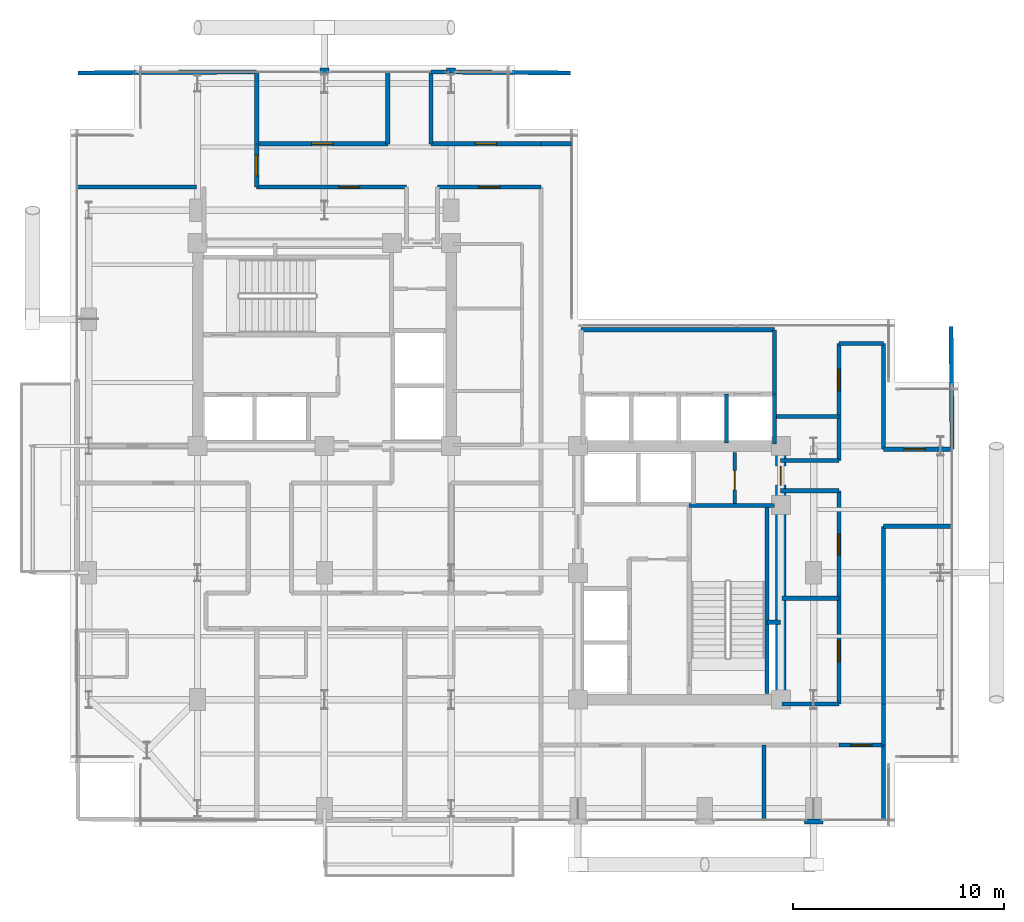
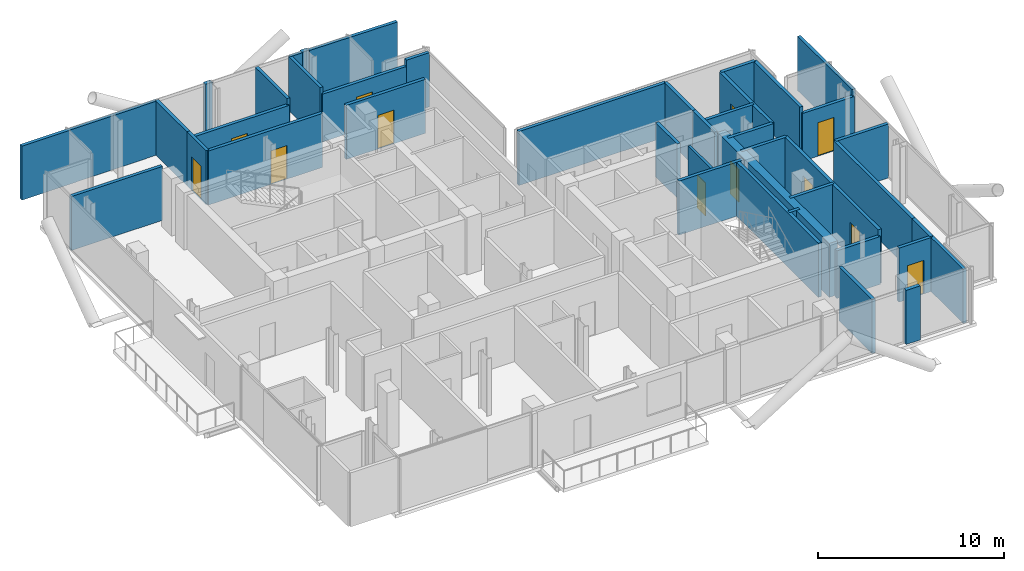
# One storey, part 19 of 22: 42 walls, 12 doors, 12 openings.
"""IFC4 building model written with IfcOpenShell, lengths in metres."""

from ifc_helpers import new_model, si_unit, direction, frame, frame_2d, origin, place, context, subcontext, project, spatial, rectangle, extrude, material, layer, layer_set, type_object, element, fill, save


model = new_model("IFC4")

# Units and contexts
model_context = context("Model", 3, precision=1e-05, world=origin(), true_north=direction((0.0, 1.0)))
body_context = subcontext(model_context, "Body", "Model", "MODEL_VIEW")
ifc_project = project(units=[si_unit("LENGTHUNIT", "METRE"), si_unit("AREAUNIT", "SQUARE_METRE"), si_unit("VOLUMEUNIT", "CUBIC_METRE"), si_unit("PLANEANGLEUNIT", "RADIAN"), si_unit("MASSUNIT", "GRAM", prefix="KILO"), si_unit("THERMODYNAMICTEMPERATUREUNIT", "KELVIN"), si_unit("POWERUNIT", "WATT")], contexts=[model_context])

# Site, building, storey
site_placement = place(None, origin())
site = spatial("IfcSite", under=ifc_project, at=site_placement, CompositionType="ELEMENT")
building_placement = place(site_placement, origin())
building = spatial("IfcBuilding", under=site, at=building_placement, Name="Svarakhadi Broadcast Tower", CompositionType="ELEMENT")
storey_placement = place(building_placement, frame((0.0, 0.0, 176.699951171875)))
storey = spatial("IfcBuildingStorey", under=building, at=storey_placement, Name="L43", CompositionType="ELEMENT", Elevation=176.699951171875)

# Wall, openings, doors
ifc_material_1 = material(Name="Double-Stud Acoustic Studio Partition STC-62", Category="gypsum")
ifc_layer_1 = layer(ifc_material_1, 0.199951171875)
ifc_layer_set_1 = layer_set([ifc_layer_1], Name="Double-Stud Acoustic Studio Partition STC-62")
wall_type_1 = type_object("IfcWallType", Name="Wall_Acoust_200", PredefinedType="PARTITIONING", material=ifc_layer_set_1)
wall_1_placement = place(storey_placement, frame((36.35009765625, 5.800048828125, 0.0), z_axis=(0.0, 0.0, 1.0), x_axis=(0.0, 1.0, 0.0)))
wall_1 = element("IfcWall", 1, at=wall_1_placement, inside=storey, type_object=wall_type_1, Name="L43 Zone 2/3 Corridor Wall", PredefinedType="PARTITIONING", context=body_context, shape_type="SweptSolid", body=[
    extrude(rectangle(XDim=10.079833984375, YDim=0.199951171875, at=frame_2d((5.0400390625, 0.0))), origin(), (0.0, 0.0, 1.0), 3.5400390625),
])
opening_1_placement = place(wall_1_placement, frame((2.0, 0.0, 0.0)))
opening_1 = element("IfcOpeningElement", 2, at=opening_1_placement, cuts=wall_1, Name="Opening D-09", PredefinedType="OPENING", context=body_context, shape_type="SweptSolid", body=[
    extrude(rectangle(XDim=1.0, YDim=2.199951171875, at=frame_2d((0.5, 1.10009765625))), frame((0.0, 0.10986328125, 0.0), z_axis=(0.0, -1.0, 0.0), x_axis=(1.0, 0.0, 0.0)), (0.0, 0.0, 1.0), 0.219970703125),
])
opening_2_placement = place(wall_1_placement, frame((7.0400390625, 0.0, 0.0)))
opening_2 = element("IfcOpeningElement", 3, at=opening_2_placement, cuts=wall_1, Name="Opening D-09", PredefinedType="OPENING", context=body_context, shape_type="SweptSolid", body=[
    extrude(rectangle(XDim=1.0, YDim=2.199951171875, at=frame_2d((0.5, 1.10009765625))), frame((0.0, 0.10986328125, 0.0), z_axis=(0.0, -1.0, 0.0), x_axis=(1.0, 0.0, 0.0)), (0.0, 0.0, 1.0), 0.219970703125),
])
ifc_material_2 = material(Name="Solid-Core Teak Veneer Acoustic Timber Leaf", Category="wood")
door_type_1 = type_object("IfcDoorType", Name="Door_Suite_D09", OperationType="SINGLE_SWING_RIGHT", PredefinedType="DOOR", material=ifc_material_2)
door_1_placement = place(opening_1_placement, origin())
door_1 = element("IfcDoor", 4, at=door_1_placement, inside=storey, type_object=door_type_1, Name="L43 Sommelier Wine Tasting Room Door", OperationType="SINGLE_SWING_RIGHT", OverallHeight=2.199951171875, OverallWidth=1.0, PredefinedType="DOOR", context=body_context, shape_type="SweptSolid", body=[
    extrude(rectangle(XDim=1.0, YDim=2.199951171875, at=frame_2d((0.5, 1.10009765625))), frame((0.0, 0.02490234375, 0.0), z_axis=(0.0, -1.0, 0.0), x_axis=(1.0, 0.0, 0.0)), (0.0, 0.0, 1.0), 0.050048828125),
])
fill(opening_1, door_1)
door_2_placement = place(opening_2_placement, origin())
door_2 = element("IfcDoor", 5, at=door_2_placement, inside=storey, type_object=door_type_1, Name="L43 VIP Cigar Lounge Door", OperationType="SINGLE_SWING_RIGHT", OverallHeight=2.199951171875, OverallWidth=1.0, PredefinedType="DOOR", context=body_context, shape_type="SweptSolid", body=[
    extrude(rectangle(XDim=1.0, YDim=2.199951171875, at=frame_2d((0.5, 1.10009765625))), frame((0.0, 0.02490234375, 0.0), z_axis=(0.0, -1.0, 0.0), x_axis=(1.0, 0.0, 0.0)), (0.0, 0.0, 1.0), 0.050048828125),
])
fill(opening_2, door_2)

# Walls
for number, where, z_axis, x_axis, name in (
    (6, (36.35009765625, 15.8798828125, 0.0), (0.0, 0.0, 1.0), (-1.0, 0.0, 0.0), "L43 Zone 2/3 Corridor Wall"),
    (7, (33.580078125, 17.320068359375, 0.0), (0.0, 0.0, 1.0), (1.0, 0.0, 0.0), "L43 Zone 2/3 Corridor Wall"),
):
    element("IfcWall", number, at=place(storey_placement, frame(where, z_axis=z_axis, x_axis=x_axis)), inside=storey, type_object=wall_type_1, Name=name, PredefinedType="PARTITIONING", context=body_context, shape_type="SweptSolid", body=[
        extrude(rectangle(XDim=2.77001953125, YDim=0.199951171875, at=frame_2d((1.385009765625, 0.0))), origin(), (0.0, 0.0, 1.0), 3.5400390625),
    ])

# Wall, opening, door
wall_2_placement = place(storey_placement, frame((36.35009765625, 17.320068359375, 0.0), z_axis=(0.0, 0.0, 1.0), x_axis=(0.0, 1.0, 0.0)))
wall_2 = element("IfcWall", 8, at=wall_2_placement, inside=storey, type_object=wall_type_1, Name="L43 Zone 2/3 Corridor Wall", PredefinedType="PARTITIONING", context=body_context, shape_type="SweptSolid", body=[
    extrude(rectangle(XDim=5.530029296875, YDim=0.199951171875, at=frame_2d((2.76513671875, 0.0))), origin(), (0.0, 0.0, 1.0), 3.5400390625),
])
opening_3_placement = place(wall_2_placement, frame((3.304931640625, 0.0, 0.0)))
opening_3 = element("IfcOpeningElement", 9, at=opening_3_placement, cuts=wall_2, Name="Opening D-09", PredefinedType="OPENING", context=body_context, shape_type="SweptSolid", body=[
    extrude(rectangle(XDim=1.0, YDim=2.199951171875, at=frame_2d((0.5, 1.10009765625))), frame((0.0, 0.10986328125, 0.0), z_axis=(0.0, -1.0, 0.0), x_axis=(1.0, 0.0, 0.0)), (0.0, 0.0, 1.0), 0.219970703125),
])
door_3_placement = place(opening_3_placement, origin())
door_3 = element("IfcDoor", 10, at=door_3_placement, inside=storey, type_object=door_type_1, Name="L43 Harbour Sunset Reading Lounge Door", OperationType="SINGLE_SWING_RIGHT", OverallHeight=2.199951171875, OverallWidth=1.0, PredefinedType="DOOR", context=body_context, shape_type="SweptSolid", body=[
    extrude(rectangle(XDim=1.0, YDim=2.199951171875, at=frame_2d((0.5, 1.10009765625))), frame((0.0, 0.02490234375, 0.0), z_axis=(0.0, -1.0, 0.0), x_axis=(1.0, 0.0, 0.0)), (0.0, 0.0, 1.0), 0.050048828125),
])
fill(opening_3, door_3)

# Walls
wall_3_placement = place(storey_placement, frame((36.35009765625, 22.85009765625, 0.0), z_axis=(0.0, 0.0, 1.0), x_axis=(1.0, 0.0, 0.0)))
element("IfcWall", 11, at=wall_3_placement, inside=storey, type_object=wall_type_1, Name="L43 Zone 2/3 Corridor Wall", PredefinedType="PARTITIONING", context=body_context, shape_type="SweptSolid", body=[
    extrude(rectangle(XDim=2.099853515625, YDim=0.199951171875, at=frame_2d((1.0498046875, 0.0))), origin(), (0.0, 0.0, 1.0), 3.5400390625),
])
wall_4_placement = place(storey_placement, frame((38.449951171875, 22.85009765625, 0.0), z_axis=(0.0, 0.0, 1.0), x_axis=(0.0, -1.0, 0.0)))
element("IfcWall", 12, at=wall_4_placement, inside=storey, type_object=wall_type_1, Name="L43 Zone 2/3 Corridor Wall", PredefinedType="PARTITIONING", context=body_context, shape_type="SweptSolid", body=[
    extrude(rectangle(XDim=5.0, YDim=0.199951171875, at=frame_2d((2.5, 0.0))), origin(), (0.0, 0.0, 1.0), 3.5400390625),
])

# Wall, opening, door
wall_5_placement = place(storey_placement, frame((38.449951171875, 17.85009765625, 0.0), z_axis=(0.0, 0.0, 1.0), x_axis=(1.0, 0.0, 0.0)))
wall_5 = element("IfcWall", 13, at=wall_5_placement, inside=storey, type_object=wall_type_1, Name="L43 Zone 2/3 Corridor Wall", PredefinedType="PARTITIONING", context=body_context, shape_type="SweptSolid", body=[
    extrude(rectangle(XDim=3.25, YDim=0.199951171875, at=frame_2d((1.625, 0.0))), origin(), (0.0, 0.0, 1.0), 3.132080078125),
])
opening_4_placement = place(wall_5_placement, frame((0.97998046875, 0.0, 0.0)))
opening_4 = element("IfcOpeningElement", 14, at=opening_4_placement, cuts=wall_5, Name="Opening D-08", PredefinedType="OPENING", context=body_context, shape_type="SweptSolid", body=[
    extrude(rectangle(XDim=1.0, YDim=2.199951171875, at=frame_2d((0.5, 1.10009765625))), frame((0.0, 0.10986328125, 0.0), z_axis=(0.0, -1.0, 0.0), x_axis=(1.0, 0.0, 0.0)), (0.0, 0.0, 1.0), 0.219970703125),
])
door_type_2 = type_object("IfcDoorType", Name="Door_Suite_D08", OperationType="SINGLE_SWING_LEFT", PredefinedType="DOOR", material=ifc_material_2)
door_4_placement = place(opening_4_placement, origin())
door_4 = element("IfcDoor", 15, at=door_4_placement, inside=storey, type_object=door_type_2, Name="L43 Hotel Harbour Panorama Suite Door", OperationType="SINGLE_SWING_LEFT", OverallHeight=2.199951171875, OverallWidth=1.0, PredefinedType="DOOR", context=body_context, shape_type="SweptSolid", body=[
    extrude(rectangle(XDim=1.0, YDim=2.199951171875, at=frame_2d((0.5, 1.10009765625))), frame((0.0, 0.02490234375, 0.0), z_axis=(0.0, -1.0, 0.0), x_axis=(1.0, 0.0, 0.0)), (0.0, 0.0, 1.0), 0.050048828125),
])
fill(opening_4, door_4)

# Walls
wall_6_placement = place(storey_placement, frame((41.699951171875, 14.199951171875, 0.0), z_axis=(0.0, 0.0, 1.0), x_axis=(-1.0, 0.0, 0.0)))
element("IfcWall", 16, at=wall_6_placement, inside=storey, type_object=wall_type_1, Name="L43 Zone 2/3 Corridor Wall", PredefinedType="PARTITIONING", context=body_context, shape_type="SweptSolid", body=[
    extrude(rectangle(XDim=3.25, YDim=0.199951171875, at=frame_2d((1.625, 0.0))), origin(), (0.0, 0.0, 1.0), 3.5400390625),
])
wall_7_placement = place(storey_placement, frame((38.449951171875, 14.199951171875, 0.0), z_axis=(0.0, 0.0, 1.0), x_axis=(0.0, -1.0, 0.0)))
element("IfcWall", 17, at=wall_7_placement, inside=storey, type_object=wall_type_1, Name="L43 Zone 2/3 Corridor Wall", PredefinedType="PARTITIONING", context=body_context, shape_type="SweptSolid", body=[
    extrude(rectangle(XDim=8.39990234375, YDim=0.199951171875, at=frame_2d((4.199951171875, 0.0))), origin(), (0.0, 0.0, 1.0), 3.5400390625),
])
wall_8_placement = place(storey_placement, frame((38.449951171875, 5.800048828125, 0.0), z_axis=(0.0, 0.0, 1.0), x_axis=(0.0, -1.0, 0.0)))
element("IfcWall", 18, at=wall_8_placement, inside=storey, type_object=wall_type_1, Name="L43 Zone 2/3 Corridor Wall", PredefinedType="PARTITIONING", context=body_context, shape_type="SweptSolid", body=[
    extrude(rectangle(XDim=1.949951171875, YDim=0.199951171875, at=frame_2d((0.97509765625, 0.0))), origin(), (0.0, 0.0, 1.0), 3.5400390625),
])

# Wall, opening, door
wall_9_placement = place(storey_placement, frame((38.449951171875, 3.85009765625, 0.0), z_axis=(0.0, 0.0, 1.0), x_axis=(-1.0, 0.0, 0.0)))
wall_9 = element("IfcWall", 19, at=wall_9_placement, inside=storey, type_object=wall_type_1, Name="L43 Zone 2/3 Corridor Wall", PredefinedType="PARTITIONING", context=body_context, shape_type="SweptSolid", body=[
    extrude(rectangle(XDim=2.099853515625, YDim=0.199951171875, at=frame_2d((1.0498046875, 0.0))), origin(), (0.0, 0.0, 1.0), 3.5400390625),
])
opening_5_placement = place(wall_9_placement, frame((0.550048828125, 0.0, 0.0)))
opening_5 = element("IfcOpeningElement", 20, at=opening_5_placement, cuts=wall_9, Name="Opening D-09", PredefinedType="OPENING", context=body_context, shape_type="SweptSolid", body=[
    extrude(rectangle(XDim=1.0, YDim=2.199951171875, at=frame_2d((0.5, 1.10009765625))), frame((0.0, 0.10986328125, 0.0), z_axis=(0.0, -1.0, 0.0), x_axis=(1.0, 0.0, 0.0)), (0.0, 0.0, 1.0), 0.219970703125),
])
door_5_placement = place(opening_5_placement, origin())
door_5 = element("IfcDoor", 21, at=door_5_placement, inside=storey, type_object=door_type_1, Name="L43 Artisanal Espresso Bar Door", OperationType="SINGLE_SWING_RIGHT", OverallHeight=2.199951171875, OverallWidth=1.0, PredefinedType="DOOR", context=body_context, shape_type="SweptSolid", body=[
    extrude(rectangle(XDim=1.0, YDim=2.199951171875, at=frame_2d((0.5, 1.10009765625))), frame((0.0, 0.02490234375, 0.0), z_axis=(0.0, -1.0, 0.0), x_axis=(1.0, 0.0, 0.0)), (0.0, 0.0, 1.0), 0.050048828125),
])
fill(opening_5, door_5)

wall_10_placement = place(storey_placement, frame((22.25, 30.25, 0.0), z_axis=(0.0, 0.0, 1.0), x_axis=(-1.0, 0.0, 0.0)))
wall_10 = element("IfcWall", 22, at=wall_10_placement, inside=storey, type_object=wall_type_1, Name="L43 Zone 2/3 Corridor Wall", PredefinedType="PARTITIONING", context=body_context, shape_type="SweptSolid", body=[
    extrude(rectangle(XDim=4.89990234375, YDim=0.199951171875, at=frame_2d((2.449951171875, 0.0))), origin(), (0.0, 0.0, 1.0), 3.5400390625),
])
opening_6_placement = place(wall_10_placement, frame((1.949951171875, 0.0, 0.0)))
opening_6 = element("IfcOpeningElement", 23, at=opening_6_placement, cuts=wall_10, Name="Opening D-08", PredefinedType="OPENING", context=body_context, shape_type="SweptSolid", body=[
    extrude(rectangle(XDim=1.0, YDim=2.199951171875, at=frame_2d((0.5, 1.10009765625))), frame((0.0, 0.10986328125, 0.0), z_axis=(0.0, -1.0, 0.0), x_axis=(1.0, 0.0, 0.0)), (0.0, 0.0, 1.0), 0.219970703125),
])
door_6_placement = place(opening_6_placement, origin())
door_6 = element("IfcDoor", 24, at=door_6_placement, inside=storey, type_object=door_type_2, Name="L43 Guest Quiet Study Door", OperationType="SINGLE_SWING_LEFT", OverallHeight=2.199951171875, OverallWidth=1.0, PredefinedType="DOOR", context=body_context, shape_type="SweptSolid", body=[
    extrude(rectangle(XDim=1.0, YDim=2.199951171875, at=frame_2d((0.5, 1.10009765625))), frame((0.0, 0.02490234375, 0.0), z_axis=(0.0, -1.0, 0.0), x_axis=(1.0, 0.0, 0.0)), (0.0, 0.0, 1.0), 0.050048828125),
])
fill(opening_6, door_6)

wall_11_placement = place(storey_placement, frame((15.8798828125, 30.25, 0.0), z_axis=(0.0, 0.0, 1.0), x_axis=(-1.0, 0.0, 0.0)))
wall_11 = element("IfcWall", 25, at=wall_11_placement, inside=storey, type_object=wall_type_1, Name="L43 Zone 2/3 Corridor Wall", PredefinedType="PARTITIONING", context=body_context, shape_type="SweptSolid", body=[
    extrude(rectangle(XDim=7.079833984375, YDim=0.199951171875, at=frame_2d((3.5400390625, 0.0))), origin(), (0.0, 0.0, 1.0), 3.5400390625),
])
opening_7_placement = place(wall_11_placement, frame((2.2099609375, 0.0, 0.0)))
opening_7 = element("IfcOpeningElement", 26, at=opening_7_placement, cuts=wall_11, Name="Opening D-08", PredefinedType="OPENING", context=body_context, shape_type="SweptSolid", body=[
    extrude(rectangle(XDim=1.0, YDim=2.199951171875, at=frame_2d((0.5, 1.10009765625))), frame((0.0, 0.10986328125, 0.0), z_axis=(0.0, -1.0, 0.0), x_axis=(1.0, 0.0, 0.0)), (0.0, 0.0, 1.0), 0.219970703125),
])
door_7_placement = place(opening_7_placement, origin())
door_7 = element("IfcDoor", 27, at=door_7_placement, inside=storey, type_object=door_type_2, Name="L43 Guest Library Study Door", OperationType="SINGLE_SWING_LEFT", OverallHeight=2.199951171875, OverallWidth=1.0, PredefinedType="DOOR", context=body_context, shape_type="SweptSolid", body=[
    extrude(rectangle(XDim=1.0, YDim=2.199951171875, at=frame_2d((0.5, 1.10009765625))), frame((0.0, 0.02490234375, 0.0), z_axis=(0.0, -1.0, 0.0), x_axis=(1.0, 0.0, 0.0)), (0.0, 0.0, 1.0), 0.050048828125),
])
fill(opening_7, door_7)

wall_12_placement = place(storey_placement, frame((8.800048828125, 30.25, 0.0), z_axis=(0.0, 0.0, 1.0), x_axis=(0.0, 1.0, 0.0)))
wall_12 = element("IfcWall", 28, at=wall_12_placement, inside=storey, type_object=wall_type_1, Name="L43 Zone 2/3 Corridor Wall", PredefinedType="PARTITIONING", context=body_context, shape_type="SweptSolid", body=[
    extrude(rectangle(XDim=2.050048828125, YDim=0.199951171875, at=frame_2d((1.02490234375, 0.0))), origin(), (0.0, 0.0, 1.0), 3.5400390625),
])
opening_8_placement = place(wall_12_placement, frame((0.52490234375, 0.0, 0.0)))
opening_8 = element("IfcOpeningElement", 29, at=opening_8_placement, cuts=wall_12, Name="Opening D-09", PredefinedType="OPENING", context=body_context, shape_type="SweptSolid", body=[
    extrude(rectangle(XDim=1.0, YDim=2.199951171875, at=frame_2d((0.5, 1.10009765625))), frame((0.0, 0.10986328125, 0.0), z_axis=(0.0, -1.0, 0.0), x_axis=(1.0, 0.0, 0.0)), (0.0, 0.0, 1.0), 0.219970703125),
])
door_8_placement = place(opening_8_placement, origin())
door_8 = element("IfcDoor", 30, at=door_8_placement, inside=storey, type_object=door_type_1, Name="L43 Skyline Club Reading and Horizon Lounge Door", OperationType="SINGLE_SWING_RIGHT", OverallHeight=2.199951171875, OverallWidth=1.0, PredefinedType="DOOR", context=body_context, shape_type="SweptSolid", body=[
    extrude(rectangle(XDim=1.0, YDim=2.199951171875, at=frame_2d((0.5, 1.10009765625))), frame((0.0, 0.02490234375, 0.0), z_axis=(0.0, -1.0, 0.0), x_axis=(1.0, 0.0, 0.0)), (0.0, 0.0, 1.0), 0.050048828125),
])
fill(opening_8, door_8)

wall_13_placement = place(storey_placement, frame((8.800048828125, 32.300048828125, 0.0), z_axis=(0.0, 0.0, 1.0), x_axis=(1.0, 0.0, 0.0)))
wall_13 = element("IfcWall", 31, at=wall_13_placement, inside=storey, type_object=wall_type_1, Name="L43 Zone 2/3 Corridor Wall", PredefinedType="PARTITIONING", context=body_context, shape_type="SweptSolid", body=[
    extrude(rectangle(XDim=6.199951171875, YDim=0.199951171875, at=frame_2d((3.10009765625, 0.0))), origin(), (0.0, 0.0, 1.0), 3.132080078125),
])
opening_9_placement = place(wall_13_placement, frame((2.60009765625, 0.0, 0.0)))
opening_9 = element("IfcOpeningElement", 32, at=opening_9_placement, cuts=wall_13, Name="Opening D-08", PredefinedType="OPENING", context=body_context, shape_type="SweptSolid", body=[
    extrude(rectangle(XDim=1.0, YDim=2.199951171875, at=frame_2d((0.5, 1.10009765625))), frame((0.0, 0.10986328125, 0.0), z_axis=(0.0, -1.0, 0.0), x_axis=(1.0, 0.0, 0.0)), (0.0, 0.0, 1.0), 0.219970703125),
])
door_9_placement = place(opening_9_placement, origin())
door_9 = element("IfcDoor", 33, at=door_9_placement, inside=storey, type_object=door_type_2, Name="L43 Hotel Concierge Study Door", OperationType="SINGLE_SWING_LEFT", OverallHeight=2.199951171875, OverallWidth=1.0, PredefinedType="DOOR", context=body_context, shape_type="SweptSolid", body=[
    extrude(rectangle(XDim=1.0, YDim=2.199951171875, at=frame_2d((0.5, 1.10009765625))), frame((0.0, 0.02490234375, 0.0), z_axis=(0.0, -1.0, 0.0), x_axis=(1.0, 0.0, 0.0)), (0.0, 0.0, 1.0), 0.050048828125),
])
fill(opening_9, door_9)

# Walls
for number, where, z_axis, x_axis, name in (
    (34, (15.0, 32.300048828125, 0.0), (0.0, 0.0, 1.0), (0.0, 1.0, 0.0), "L43 Zone 2/3 Corridor Wall"),
    (35, (17.050048828125, 35.699951171875, 0.0), (0.0, 0.0, 1.0), (0.0, -1.0, 0.0), "L43 Zone 2/3 Corridor Wall"),
):
    element("IfcWall", number, at=place(storey_placement, frame(where, z_axis=z_axis, x_axis=x_axis)), inside=storey, type_object=wall_type_1, Name=name, PredefinedType="PARTITIONING", context=body_context, shape_type="SweptSolid", body=[
        extrude(rectangle(XDim=3.39990234375, YDim=0.199951171875, at=frame_2d((1.699951171875, 0.0))), origin(), (0.0, 0.0, 1.0), 3.5400390625),
    ])

# Wall, opening, door
wall_14_placement = place(storey_placement, frame((17.050048828125, 32.300048828125, 0.0), z_axis=(0.0, 0.0, 1.0), x_axis=(1.0, 0.0, 0.0)))
wall_14 = element("IfcWall", 36, at=wall_14_placement, inside=storey, type_object=wall_type_1, Name="L43 Zone 2/3 Corridor Wall", PredefinedType="PARTITIONING", context=body_context, shape_type="SweptSolid", body=[
    extrude(rectangle(XDim=5.199951171875, YDim=0.199951171875, at=frame_2d((2.60009765625, 0.0))), origin(), (0.0, 0.0, 1.0), 3.132080078125),
])
opening_10_placement = place(wall_14_placement, frame((2.10009765625, 0.0, 0.0)))
opening_10 = element("IfcOpeningElement", 37, at=opening_10_placement, cuts=wall_14, Name="Opening D-09", PredefinedType="OPENING", context=body_context, shape_type="SweptSolid", body=[
    extrude(rectangle(XDim=1.0, YDim=2.199951171875, at=frame_2d((0.5, 1.10009765625))), frame((0.0, 0.10986328125, 0.0), z_axis=(0.0, -1.0, 0.0), x_axis=(1.0, 0.0, 0.0)), (0.0, 0.0, 1.0), 0.219970703125),
])
door_10_placement = place(opening_10_placement, origin())
door_10 = element("IfcDoor", 38, at=door_10_placement, inside=storey, type_object=door_type_1, Name="L43 Hotel Sommelier Tasting Salon Door", OperationType="SINGLE_SWING_RIGHT", OverallHeight=2.199951171875, OverallWidth=1.0, PredefinedType="DOOR", context=body_context, shape_type="SweptSolid", body=[
    extrude(rectangle(XDim=1.0, YDim=2.199951171875, at=frame_2d((0.5, 1.10009765625))), frame((0.0, 0.02490234375, 0.0), z_axis=(0.0, -1.0, 0.0), x_axis=(1.0, 0.0, 0.0)), (0.0, 0.0, 1.0), 0.050048828125),
])
fill(opening_10, door_10)

# Walls
wall_15_placement = place(storey_placement, frame((22.25, 32.300048828125, 0.0), z_axis=(0.0, 0.0, 1.0), x_axis=(1.0, 0.0, 0.0)))
element("IfcWall", 39, at=wall_15_placement, inside=storey, type_object=wall_type_1, Name="L43 Zone 2/3 Corridor Wall", PredefinedType="PARTITIONING", context=body_context, shape_type="SweptSolid", body=[
    extrude(rectangle(XDim=1.449951171875, YDim=0.199951171875, at=frame_2d((0.72509765625, 0.0))), origin(), (0.0, 0.0, 1.0), 3.5400390625),
])
wall_16_placement = place(storey_placement, frame((0.300048828125, 30.25, 0.0), z_axis=(0.0, 0.0, 1.0), x_axis=(1.0, 0.0, 0.0)))
element("IfcWall", 40, at=wall_16_placement, inside=storey, type_object=wall_type_1, Name="L43 Sea-View Panorama Club Salon Wall", PredefinedType="PARTITIONING", context=body_context, shape_type="SweptSolid", body=[
    extrude(rectangle(XDim=5.64990234375, YDim=0.199951171875, at=frame_2d((2.824951171875, 0.0))), origin(), (0.0, 0.0, 1.0), 3.5400390625),
])
for number, where, z_axis, x_axis, name in (
    (41, (32.800048828125, 0.300048828125, 0.0), (0.0, 0.0, 1.0), (0.0, 1.0, 0.0), "L43 Private Dining Salon Wall"),
    (42, (38.449951171875, 0.300048828125, 0.0), (0.0, 0.0, 1.0), (0.0, 1.0, 0.0), "L43 Artisanal Espresso Bar Wall"),
):
    element("IfcWall", number, at=place(storey_placement, frame(where, z_axis=z_axis, x_axis=x_axis)), inside=storey, type_object=wall_type_1, Name=name, PredefinedType="PARTITIONING", context=body_context, shape_type="SweptSolid", body=[
        extrude(rectangle(XDim=3.550048828125, YDim=0.199951171875, at=frame_2d((1.77490234375, 0.0))), origin(), (0.0, 0.0, 1.0), 3.5400390625),
    ])
wall_17_placement = place(storey_placement, frame((33.64990234375, 5.800048828125, 0.0), z_axis=(0.0, 0.0, 1.0), x_axis=(1.0, 0.0, 0.0)))
element("IfcWall", 43, at=wall_17_placement, inside=storey, type_object=wall_type_1, Name="L43 Sommelier Wine Tasting Room Wall", PredefinedType="PARTITIONING", context=body_context, shape_type="SweptSolid", body=[
    extrude(rectangle(XDim=2.7001953125, YDim=0.199951171875, at=frame_2d((1.35009765625, 0.0))), origin(), (0.0, 0.0, 1.0), 3.132080078125),
])
wall_18_placement = place(storey_placement, frame((33.64990234375, 10.800048828125, 0.0), z_axis=(0.0, 0.0, 1.0), x_axis=(1.0, 0.0, 0.0)))
element("IfcWall", 44, at=wall_18_placement, inside=storey, type_object=wall_type_1, Name="L43 Sommelier Wine Tasting Room Wall", PredefinedType="PARTITIONING", context=body_context, shape_type="SweptSolid", body=[
    extrude(rectangle(XDim=2.7001953125, YDim=0.199951171875, at=frame_2d((1.35009765625, 0.0))), origin(), (0.0, 0.0, 1.0), 3.5400390625),
])
wall_19_placement = place(storey_placement, frame((41.699951171875, 17.85009765625, 0.0), z_axis=(0.0, 0.0, 1.0), x_axis=(-0.008629077606, 0.999962768817, 0.0)))
element("IfcWall", 45, at=wall_19_placement, inside=storey, type_object=wall_type_1, Name="L43 Hotel Harbour Panorama Suite Wall", PredefinedType="PARTITIONING", context=body_context, shape_type="SweptSolid", body=[
    extrude(rectangle(XDim=5.800048828125, YDim=0.199951171875, at=frame_2d((2.89990234375, 0.0))), origin(), (0.0, 0.0, 1.0), 3.5400390625),
])
wall_20_placement = place(storey_placement, frame((33.35009765625, 19.39990234375, 0.0), z_axis=(0.0, 0.0, 1.0), x_axis=(1.0, 0.0, 0.0)))
element("IfcWall", 46, at=wall_20_placement, inside=storey, type_object=wall_type_1, Name="L43 Harbour Sunset Reading Lounge Wall", PredefinedType="PARTITIONING", context=body_context, shape_type="SweptSolid", body=[
    extrude(rectangle(XDim=3.0, YDim=0.199951171875, at=frame_2d((1.5, 0.0))), origin(), (0.0, 0.0, 1.0), 3.5400390625),
])
wall_21_placement = place(storey_placement, frame((0.35009765625, 35.64990234375, 0.0), z_axis=(0.0, 0.0, 1.0), x_axis=(0.99998245966, 0.005922868574, 0.0)))
element("IfcWall", 47, at=wall_21_placement, inside=storey, type_object=wall_type_1, Name="L43 Skyline Club Reading and Horizon Lounge Wall", PredefinedType="PARTITIONING", context=body_context, shape_type="SweptSolid", body=[
    extrude(rectangle(XDim=8.4501953125, YDim=0.199951171875, at=frame_2d((4.22509765625, 0.0))), origin(), (0.0, 0.0, 1.0), 3.5400390625),
])
wall_22_placement = place(storey_placement, frame((8.800048828125, 32.300048828125, 0.0), z_axis=(0.0, 0.0, 1.0), x_axis=(0.0, 1.0, 0.0)))
element("IfcWall", 48, at=wall_22_placement, inside=storey, type_object=wall_type_1, Name="L43 Hotel Concierge Study Wall", PredefinedType="PARTITIONING", context=body_context, shape_type="SweptSolid", body=[
    extrude(rectangle(XDim=3.39990234375, YDim=0.199951171875, at=frame_2d((1.699951171875, 0.0))), origin(), (0.0, 0.0, 1.0), 3.5400390625),
])
wall_23_placement = place(storey_placement, frame((17.050048828125, 35.699951171875, 0.0), z_axis=(0.0, 0.0, 1.0), x_axis=(0.99997080734, -0.007640972946, 0.0)))
element("IfcWall", 49, at=wall_23_placement, inside=storey, type_object=wall_type_1, Name="L43 Hotel Sommelier Tasting Salon Wall", PredefinedType="PARTITIONING", context=body_context, shape_type="SweptSolid", body=[
    extrude(rectangle(XDim=0.73486328125, YDim=0.199951171875, at=frame_2d((0.367431640625, 0.0))), origin(), (0.0, 0.0, 1.0), 3.5400390625),
])
wall_24_placement = place(storey_placement, frame((18.215087890625, 35.691162109375, 0.0), z_axis=(0.0, 0.0, 1.0), x_axis=(0.999971183893, -0.007591533627, 0.0)))
element("IfcWall", 50, at=wall_24_placement, inside=storey, type_object=wall_type_1, Name="L43 Hotel Sommelier Tasting Salon Wall", PredefinedType="PARTITIONING", context=body_context, shape_type="SweptSolid", body=[
    extrude(rectangle(XDim=5.43505859375, YDim=0.199951171875, at=frame_2d((2.717529296875, 0.0))), origin(), (0.0, 0.0, 1.0), 3.5400390625),
])
ifc_material_3 = material(Name="Concrete C40/50 (IS 456 M50)", Category="concrete")
ifc_layer_2 = layer(ifc_material_3, 0.239990234375)
ifc_layer_set_2 = layer_set([ifc_layer_2], Name="Concrete C40/50 (IS 456 M50)")
wall_type_2 = type_object("IfcWallType", Name="Wall_Ext_240", PredefinedType="SOLIDWALL", material=ifc_layer_set_2)
for number, where, z_axis, x_axis, name in (
    (51, (11.784912109375, 35.760009765625, 0.0), (0.0, 0.0, 1.0), (1.0, 0.0, 0.0), "L43 Perimeter Bronze Spandrel Closure Wall 01"),
    (52, (17.784912109375, 35.760009765625, 0.0), (0.0, 0.0, 1.0), (1.0, 0.0, 0.0), "L43 Perimeter Bronze Spandrel Closure Wall 02"),
):
    element("IfcWall", number, at=place(storey_placement, frame(where, z_axis=z_axis, x_axis=x_axis)), inside=storey, type_object=wall_type_2, Name=name, PredefinedType="SOLIDWALL", context=body_context, shape_type="SweptSolid", body=[
        extrude(rectangle(XDim=0.43017578125, YDim=0.239990234375, at=frame_2d((0.215087890625, 0.0))), origin(), (0.0, 0.0, 1.0), 3.5400390625),
    ])
wall_25_placement = place(storey_placement, frame((35.590087890625, 0.239990234375, 0.0), z_axis=(0.0, 0.0, 1.0), x_axis=(-1.0, 0.0, 0.0)))
element("IfcWall", 53, at=wall_25_placement, inside=storey, type_object=wall_type_2, Name="L43 Perimeter Bronze Spandrel Closure Wall 03", PredefinedType="SOLIDWALL", context=body_context, shape_type="SweptSolid", body=[
    extrude(rectangle(XDim=0.880126953125, YDim=0.239990234375, at=frame_2d((0.43994140625, 0.0))), origin(), (0.0, 0.0, 1.0), 3.5400390625),
])
ifc_layer_3 = layer(ifc_material_3, 0.199951171875)
ifc_layer_set_3 = layer_set([ifc_layer_3], Name="Concrete C40/50 (IS 456 M50)")
wall_type_3 = type_object("IfcWallType", Name="Wall_Fire_200", PredefinedType="SOLIDWALL", material=ifc_layer_set_3)
wall_26_placement = place(storey_placement, frame((32.93994140625, 9.659912109375, 0.0), z_axis=(0.0, 0.0, 1.0), x_axis=(1.0, 0.0, 0.0)))
element("IfcWall", 54, at=wall_26_placement, inside=storey, type_object=wall_type_3, Name="L43 HV Busduct Riser Shaft North Wall", PredefinedType="SOLIDWALL", context=body_context, shape_type="SweptSolid", body=[
    extrude(rectangle(XDim=0.64013671875, YDim=0.199951171875, at=frame_2d((0.320068359375, 0.0))), origin(), (0.0, 0.0, 1.0), 3.5400390625),
])

# Wall, opening, door
ifc_material_4 = material(Name="Autoclaved Aerated Concrete Blockwork 150 mm", Category="masonry")
ifc_layer_4 = layer(ifc_material_4, 0.14990234375)
ifc_layer_set_4 = layer_set([ifc_layer_4], Name="Autoclaved Aerated Concrete Blockwork 150 mm")
wall_type_4 = type_object("IfcWallType", Name="Wall_Part_150", PredefinedType="PARTITIONING", material=ifc_layer_set_4)
wall_27_placement = place(storey_placement, frame((31.419921875, 15.280029296875, 0.0), z_axis=(0.0, 0.0, 1.0), x_axis=(0.0, 1.0, 0.0)))
wall_27 = element("IfcWall", 55, at=wall_27_placement, inside=storey, type_object=wall_type_4, Name="L43 East Core Dual Store Wall", PredefinedType="PARTITIONING", context=body_context, shape_type="SweptSolid", body=[
    extrude(rectangle(XDim=2.419921875, YDim=0.14990234375, at=frame_2d((1.2099609375, 0.0))), origin(), (0.0, 0.0, 1.0), 3.5400390625),
])
opening_11_placement = place(wall_27_placement, frame((0.64990234375, 0.0, 0.0)))
opening_11 = element("IfcOpeningElement", 56, at=opening_11_placement, cuts=wall_27, Name="Opening D-04", PredefinedType="OPENING", context=body_context, shape_type="SweptSolid", body=[
    extrude(rectangle(XDim=0.89990234375, YDim=2.14990234375, at=frame_2d((0.449951171875, 1.074951171875))), frame((0.0, 0.0849609375, 0.0), z_axis=(0.0, -1.0, 0.0), x_axis=(1.0, 0.0, 0.0)), (0.0, 0.0, 1.0), 0.169921875),
])
ifc_material_5 = material(Name="Galvanised Powder-Coated Fire-Rated Steel Leaf", Category="steel")
door_type_3 = type_object("IfcDoorType", Name="Door_Fire_D04", OperationType="SINGLE_SWING_RIGHT", PredefinedType="DOOR", material=ifc_material_5)
door_11_placement = place(opening_11_placement, origin())
door_11 = element("IfcDoor", 57, at=door_11_placement, inside=storey, type_object=door_type_3, Name="L43 East Core Store B Door", OperationType="SINGLE_SWING_RIGHT", OverallHeight=2.14990234375, OverallWidth=0.89990234375, PredefinedType="DOOR", context=body_context, shape_type="SweptSolid", body=[
    extrude(rectangle(XDim=0.89990234375, YDim=2.14990234375, at=frame_2d((0.449951171875, 1.074951171875))), frame((0.0, 0.02490234375, 0.0), z_axis=(0.0, -1.0, 0.0), x_axis=(1.0, 0.0, 0.0)), (0.0, 0.0, 1.0), 0.050048828125),
])
fill(opening_11, door_11)

# Walls
ifc_material_6 = material(Name="Concrete C50/60 (IS 456 M60)", Category="concrete")
ifc_layer_5 = layer(ifc_material_6, 0.199951171875)
ifc_layer_set_5 = layer_set([ifc_layer_5], Name="Concrete C50/60 (IS 456 M60)")
wall_type_5 = type_object("IfcWallType", Name="Wall_Shear_200", PredefinedType="SHEAR", material=ifc_layer_set_5)
wall_28_placement = place(storey_placement, frame((32.93994140625, 6.300048828125, 0.0), z_axis=(0.0, 0.0, 1.0), x_axis=(0.0, 1.0, 0.0)))
element("IfcWall", 58, at=wall_28_placement, inside=storey, type_object=wall_type_5, Name="L43 Stair ST-02 East RC Shaft Wall", PredefinedType="SHEAR", context=body_context, shape_type="SweptSolid", body=[
    extrude(rectangle(XDim=8.8798828125, YDim=0.199951171875, at=frame_2d((4.43994140625, 0.0))), origin(), (0.0, 0.0, 1.0), 3.5400390625),
])
wall_29_placement = place(storey_placement, frame((29.260009765625, 15.179931640625, 0.0), z_axis=(0.0, 0.0, 1.0), x_axis=(1.0, 0.0, 0.0)))
element("IfcWall", 59, at=wall_29_placement, inside=storey, type_object=wall_type_5, Name="L43 Stair ST-02 North RC Shaft Wall", PredefinedType="SHEAR", context=body_context, shape_type="SweptSolid", body=[
    extrude(rectangle(XDim=4.0400390625, YDim=0.199951171875, at=frame_2d((2.02001953125, 0.0))), origin(), (0.0, 0.0, 1.0), 3.5400390625),
])
wall_30_placement = place(storey_placement, frame((33.300048828125, 18.10009765625, 0.0), z_axis=(0.0, 0.0, 1.0), x_axis=(0.0, 1.0, 0.0)))
element("IfcWall", 60, at=wall_30_placement, inside=storey, type_object=wall_type_5, Name="L43 Bank B East Shaft Wall", PredefinedType="SHEAR", context=body_context, shape_type="SweptSolid", body=[
    extrude(rectangle(XDim=2.349853515625, YDim=0.199951171875, at=frame_2d((1.1748046875, 0.0))), origin(), (0.0, 0.0, 1.0), 3.5400390625),
])
wall_31_placement = place(storey_placement, frame((31.02001953125, 18.14990234375, 0.0), z_axis=(0.0, 0.0, 1.0), x_axis=(0.0, 1.0, 0.0)))
element("IfcWall", 61, at=wall_31_placement, inside=storey, type_object=wall_type_5, Name="L43 Bank B Divider", PredefinedType="SHEAR", context=body_context, shape_type="SweptSolid", body=[
    extrude(rectangle(XDim=2.300048828125, YDim=0.199951171875, at=frame_2d((1.14990234375, 0.0))), origin(), (0.0, 0.0, 1.0), 3.5400390625),
])
wall_32_placement = place(storey_placement, frame((24.14990234375, 23.5, 0.0), z_axis=(0.0, 0.0, 1.0), x_axis=(1.0, 0.0, 0.0)))
element("IfcWall", 62, at=wall_32_placement, inside=storey, type_object=wall_type_5, Name="L43 Bank B Lift Hall North Wall", PredefinedType="SHEAR", context=body_context, shape_type="SweptSolid", body=[
    extrude(rectangle(XDim=9.150146484375, YDim=0.199951171875, at=frame_2d((4.5751953125, 0.0))), origin(), (0.0, 0.0, 1.0), 3.5400390625),
])
wall_33_placement = place(storey_placement, frame((33.300048828125, 20.449951171875, 0.0), z_axis=(0.0, 0.0, 1.0), x_axis=(0.0, 1.0, 0.0)))
element("IfcWall", 63, at=wall_33_placement, inside=storey, type_object=wall_type_5, Name="L43 Bank B Lift Hall East Wall", PredefinedType="SHEAR", context=body_context, shape_type="SweptSolid", body=[
    extrude(rectangle(XDim=3.050048828125, YDim=0.199951171875, at=frame_2d((1.52490234375, 0.0))), origin(), (0.0, 0.0, 1.0), 3.5400390625),
])

# Wall, opening, door
ifc_layer_6 = layer(ifc_material_6, 0.5)
ifc_layer_set_6 = layer_set([ifc_layer_6], Name="Concrete C50/60 (IS 456 M60)")
wall_type_6 = type_object("IfcWallType", Name="Wall_Shear_500", PredefinedType="SHEAR", material=ifc_layer_set_6)
wall_34_placement = place(storey_placement, frame((33.60009765625, 6.0, 0.0), z_axis=(0.0, 0.0, 1.0), x_axis=(0.0, 1.0, 0.0)))
wall_34 = element("IfcWall", 64, at=wall_34_placement, inside=storey, type_object=wall_type_6, Name="L43 East Core East Shear Wall", PredefinedType="SHEAR", context=body_context, shape_type="SweptSolid", body=[
    extrude(rectangle(XDim=12.0, YDim=0.5, at=frame_2d((6.0, 0.0))), origin(), (0.0, 0.0, 1.0), 3.5400390625),
])
opening_12_placement = place(wall_34_placement, frame((10.14990234375, 0.0, 0.0)))
opening_12 = element("IfcOpeningElement", 65, at=opening_12_placement, cuts=wall_34, Name="Opening D-04", PredefinedType="OPENING", context=body_context, shape_type="SweptSolid", body=[
    extrude(rectangle(XDim=0.89990234375, YDim=2.14990234375, at=frame_2d((0.449951171875, 1.074951171875))), frame((0.0, 0.260009765625, 0.0), z_axis=(0.0, -1.0, 0.0), x_axis=(1.0, 0.0, 0.0)), (0.0, 0.0, 1.0), 0.52001953125),
])
door_12_placement = place(opening_12_placement, origin())
door_12 = element("IfcDoor", 66, at=door_12_placement, inside=storey, type_object=door_type_3, Name="L43 East Core Store A Door", OperationType="SINGLE_SWING_RIGHT", OverallHeight=2.14990234375, OverallWidth=0.89990234375, PredefinedType="DOOR", context=body_context, shape_type="SweptSolid", body=[
    extrude(rectangle(XDim=0.89990234375, YDim=2.14990234375, at=frame_2d((0.449951171875, 1.074951171875))), frame((0.0, 0.02490234375, 0.0), z_axis=(0.0, -1.0, 0.0), x_axis=(1.0, 0.0, 0.0)), (0.0, 0.0, 1.0), 0.050048828125),
])
fill(opening_12, door_12)

save(model, "model.ifc")
